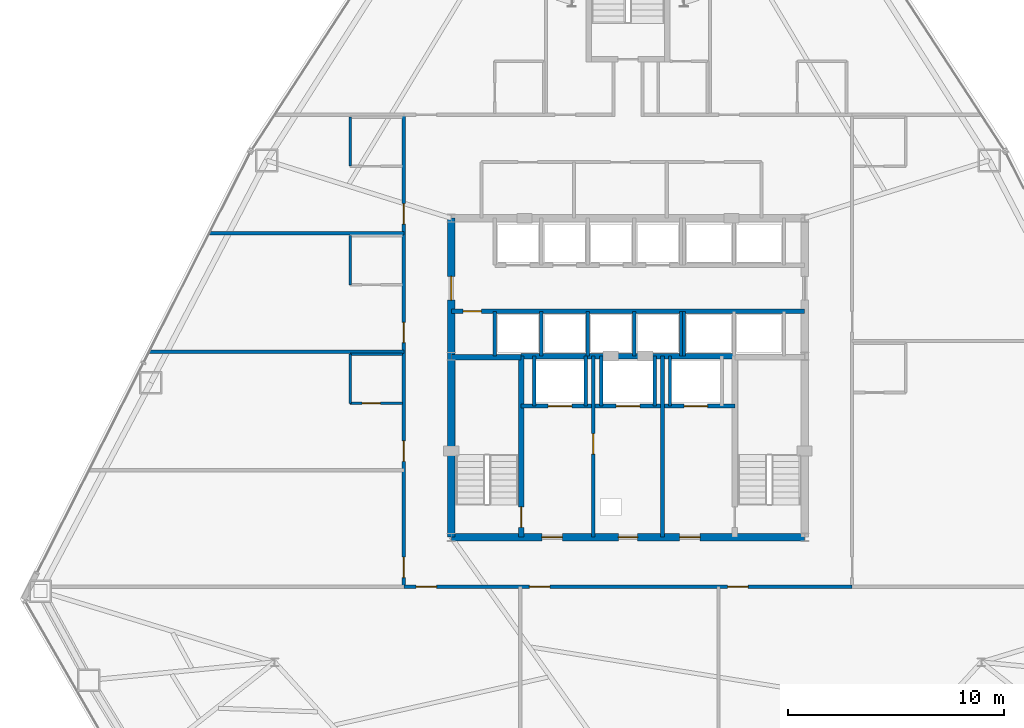
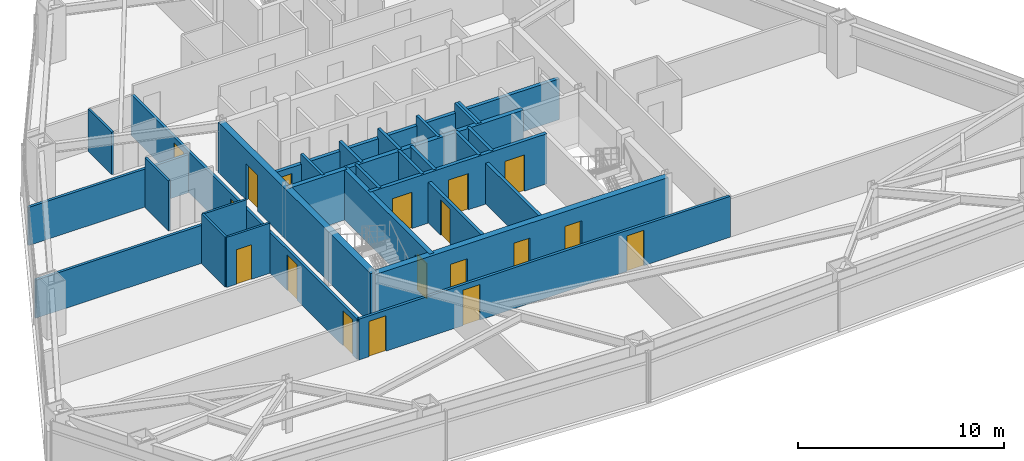
# One storey, part 9 of 12: 29 walls, 18 doors, 18 openings.
"""IFC4 building model written with IfcOpenShell, lengths in metres."""

from ifc_helpers import new_model, si_unit, direction, frame, frame_2d, origin, place, context, subcontext, project, spatial, rectangle, extrude, material, layer, layer_set, type_object, element, fill, save


model = new_model("IFC4")

# Units and contexts
model_context = context("Model", 3, precision=1e-05, world=origin(), true_north=direction((0.0, 1.0)))
body_context = subcontext(model_context, "Body", "Model", "MODEL_VIEW")
ifc_project = project(units=[si_unit("LENGTHUNIT", "METRE"), si_unit("AREAUNIT", "SQUARE_METRE"), si_unit("VOLUMEUNIT", "CUBIC_METRE"), si_unit("PLANEANGLEUNIT", "RADIAN"), si_unit("MASSUNIT", "GRAM", prefix="KILO")], contexts=[model_context])

# Site, building, storey
site_placement = place(None, origin())
site = spatial("IfcSite", under=ifc_project, at=site_placement, CompositionType="ELEMENT")
building_placement = place(site_placement, origin())
building = spatial("IfcBuilding", under=site, at=building_placement, Name="Varakhsha Concourse Tower", CompositionType="ELEMENT")
storey_placement = place(building_placement, frame((0.0, 0.0, 76.60009765625)))
storey = spatial("IfcBuildingStorey", under=building, at=storey_placement, Name="L21", CompositionType="ELEMENT", Elevation=76.60009765625)

# Wall, openings, doors
ifc_material_1 = material(Name="Concrete fc 65 MPa", Category="concrete")
ifc_layer_1 = layer(ifc_material_1, 0.35009765625, Name="WL-CORE-350")
ifc_layer_set_1 = layer_set([ifc_layer_1], Name="Concrete fc 65 MPa")
wall_type_1 = type_object("IfcWallType", Name="WL-CORE-350", PredefinedType="SHEAR", material=ifc_layer_set_1)
wall_1_placement = place(storey_placement, frame((31.800048828125, 16.39990234375, 0.0), z_axis=(0.0, 0.0, 1.0), x_axis=(1.0, 0.0, 0.0)))
wall_1 = element("IfcWall", 1, at=wall_1_placement, inside=storey, type_object=wall_type_1, Name="L21 Wall CWALL-S-L21", PredefinedType="SHEAR", context=body_context, shape_type="SweptSolid", body=[
    extrude(rectangle(XDim=16.39990234375, YDim=0.35009765625, at=frame_2d((8.199951171875, 0.0))), origin(), (0.0, 0.0, 1.0), 2.969970703125),
])
opening_1_placement = place(wall_1_placement, frame((7.75, 0.0, 0.0)))
opening_1 = element("IfcOpeningElement", 2, at=opening_1_placement, cuts=wall_1, Name="Opening DF-06", PredefinedType="OPENING", context=body_context, shape_type="SweptSolid", body=[
    extrude(rectangle(XDim=0.89990234375, YDim=2.10009765625, at=frame_2d((0.449951171875, 1.050048828125))), frame((0.0, 0.18505859375, 0.0), z_axis=(0.0, -1.0, 0.0), x_axis=(1.0, 0.0, 0.0)), (0.0, 0.0, 1.0), 0.3701171875),
])
opening_2_placement = place(wall_1_placement, frame((4.199951171875, 0.0, 0.0)))
opening_2 = element("IfcOpeningElement", 3, at=opening_2_placement, cuts=wall_1, Name="Opening DF-05", PredefinedType="OPENING", context=body_context, shape_type="SweptSolid", body=[
    extrude(rectangle(XDim=0.949951171875, YDim=2.10009765625, at=frame_2d((0.47509765625, 1.050048828125))), frame((0.0, 0.18505859375, 0.0), z_axis=(0.0, -1.0, 0.0), x_axis=(1.0, 0.0, 0.0)), (0.0, 0.0, 1.0), 0.3701171875),
])
opening_3_placement = place(wall_1_placement, frame((10.60009765625, 0.0, 0.0)))
opening_3 = element("IfcOpeningElement", 4, at=opening_3_placement, cuts=wall_1, Name="Opening DF-05", PredefinedType="OPENING", context=body_context, shape_type="SweptSolid", body=[
    extrude(rectangle(XDim=0.949951171875, YDim=2.10009765625, at=frame_2d((0.47509765625, 1.050048828125))), frame((0.0, 0.18505859375, 0.0), z_axis=(0.0, -1.0, 0.0), x_axis=(1.0, 0.0, 0.0)), (0.0, 0.0, 1.0), 0.3701171875),
])
ifc_material_2 = material(Name="Hollow Galvanised Steel Fire Door Assembly", Category="steel")
door_type_1 = type_object("IfcDoorType", Name="DR-FD60-900", OperationType="NOTDEFINED", PredefinedType="DOOR", material=ifc_material_2)
door_1_placement = place(opening_1_placement, origin())
door_1 = element("IfcDoor", 5, at=door_1_placement, inside=storey, type_object=door_type_1, Name="L21 Service Riser Vestibule Door", OperationType="SINGLE_SWING_LEFT", OverallHeight=2.10009765625, OverallWidth=0.89990234375, PredefinedType="DOOR", context=body_context, shape_type="SweptSolid", body=[
    extrude(rectangle(XDim=0.89990234375, YDim=2.10009765625, at=frame_2d((0.449951171875, 1.050048828125))), frame((0.0, 0.02490234375, 0.0), z_axis=(0.0, -1.0, 0.0), x_axis=(1.0, 0.0, 0.0)), (0.0, 0.0, 1.0), 0.050048828125),
])
fill(opening_1, door_1)
door_type_2 = type_object("IfcDoorType", Name="DR-FD60-950", OperationType="NOTDEFINED", PredefinedType="DOOR", material=ifc_material_2)
door_2_placement = place(opening_2_placement, origin())
door_2 = element("IfcDoor", 6, at=door_2_placement, inside=storey, type_object=door_type_2, Name="L21 Firefighting Lobby West Door", OperationType="SINGLE_SWING_RIGHT", OverallHeight=2.10009765625, OverallWidth=0.949951171875, PredefinedType="DOOR", context=body_context, shape_type="SweptSolid", body=[
    extrude(rectangle(XDim=0.949951171875, YDim=2.10009765625, at=frame_2d((0.47509765625, 1.050048828125))), frame((0.0, 0.02490234375, 0.0), z_axis=(0.0, -1.0, 0.0), x_axis=(1.0, 0.0, 0.0)), (0.0, 0.0, 1.0), 0.050048828125),
])
fill(opening_2, door_2)
door_3_placement = place(opening_3_placement, origin())
door_3 = element("IfcDoor", 7, at=door_3_placement, inside=storey, type_object=door_type_2, Name="L21 Firefighting Lobby East Door", OperationType="SINGLE_SWING_LEFT", OverallHeight=2.10009765625, OverallWidth=0.949951171875, PredefinedType="DOOR", context=body_context, shape_type="SweptSolid", body=[
    extrude(rectangle(XDim=0.949951171875, YDim=2.10009765625, at=frame_2d((0.47509765625, 1.050048828125))), frame((0.0, 0.02490234375, 0.0), z_axis=(0.0, -1.0, 0.0), x_axis=(1.0, 0.0, 0.0)), (0.0, 0.0, 1.0), 0.050048828125),
])
fill(opening_3, door_3)

# Wall, opening, door
wall_2_placement = place(storey_placement, frame((31.800048828125, 16.39990234375, 0.0), z_axis=(0.0, 0.0, 1.0), x_axis=(0.0, 1.0, 0.0)))
wall_2 = element("IfcWall", 8, at=wall_2_placement, inside=storey, type_object=wall_type_1, Name="L21 Wall CWALL-W-L21", PredefinedType="SHEAR", context=body_context, shape_type="SweptSolid", body=[
    extrude(rectangle(XDim=14.800048828125, YDim=0.35009765625, at=frame_2d((7.39990234375, 0.0))), origin(), (0.0, 0.0, 1.0), 2.969970703125),
])
opening_4_placement = place(wall_2_placement, frame((11.0, 0.0, 0.0)))
opening_4 = element("IfcOpeningElement", 9, at=opening_4_placement, cuts=wall_2, Name="Opening DL-01", PredefinedType="OPENING", context=body_context, shape_type="SweptSolid", body=[
    extrude(rectangle(XDim=1.10009765625, YDim=2.14990234375, at=frame_2d((0.550048828125, 1.074951171875))), frame((0.0, 0.18505859375, 0.0), z_axis=(0.0, -1.0, 0.0), x_axis=(1.0, 0.0, 0.0)), (0.0, 0.0, 1.0), 0.3701171875),
])
ifc_material_3 = material(Name="Anodised Bronze Architectural Aluminium AA 6063-T6", Category="aluminium")
door_type_3 = type_object("IfcDoorType", Name="DR-LOB-1100", OperationType="NOTDEFINED", PredefinedType="DOOR", material=ifc_material_3)
door_4_placement = place(opening_4_placement, origin())
door_4 = element("IfcDoor", 10, at=door_4_placement, inside=storey, type_object=door_type_3, Name="L21 Lift Lobby West Concourse Door", OperationType="SINGLE_SWING_LEFT", OverallHeight=2.14990234375, OverallWidth=1.10009765625, PredefinedType="DOOR", context=body_context, shape_type="SweptSolid", body=[
    extrude(rectangle(XDim=1.10009765625, YDim=2.14990234375, at=frame_2d((0.550048828125, 1.074951171875))), frame((0.0, 0.02490234375, 0.0), z_axis=(0.0, -1.0, 0.0), x_axis=(1.0, 0.0, 0.0)), (0.0, 0.0, 1.0), 0.050048828125),
])
fill(opening_4, door_4)

ifc_material_4 = material(Name="Fire-Rated Type X Gypsum Partition Assembly", Category="gypsum")
ifc_layer_2 = layer(ifc_material_4, 0.179931640625, Name="WL-FFLOB-180")
ifc_layer_set_2 = layer_set([ifc_layer_2], Name="Fire-Rated Type X Gypsum Partition Assembly")
wall_type_2 = type_object("IfcWallType", Name="WL-FFLOB-180", PredefinedType="PARTITIONING", material=ifc_layer_set_2)
wall_3_placement = place(storey_placement, frame((38.389892578125, 16.39990234375, 0.0), z_axis=(0.0, 0.0, 1.0), x_axis=(0.0, 1.0, 0.0)))
wall_3 = element("IfcWall", 11, at=wall_3_placement, inside=storey, type_object=wall_type_2, Name="L21 Wall FFW-1E-L21", PredefinedType="PARTITIONING", context=body_context, shape_type="SweptSolid", body=[
    extrude(rectangle(XDim=8.400146484375, YDim=0.179931640625, at=frame_2d((4.2001953125, 0.0))), origin(), (0.0, 0.0, 1.0), 2.4208984375),
])
opening_5_placement = place(wall_3_placement, frame((3.85009765625, 0.0, 0.0)))
opening_5 = element("IfcOpeningElement", 12, at=opening_5_placement, cuts=wall_3, Name="Opening DF-05", PredefinedType="OPENING", context=body_context, shape_type="SweptSolid", body=[
    extrude(rectangle(XDim=0.949951171875, YDim=2.10009765625, at=frame_2d((0.47509765625, 1.050048828125))), frame((0.0, 0.099853515625, 0.0), z_axis=(0.0, -1.0, 0.0), x_axis=(1.0, 0.0, 0.0)), (0.0, 0.0, 1.0), 0.199951171875),
])
door_5_placement = place(opening_5_placement, origin())
door_5 = element("IfcDoor", 13, at=door_5_placement, inside=storey, type_object=door_type_2, Name="L21 Service Vestibule Door", OperationType="SINGLE_SWING_RIGHT", OverallHeight=2.10009765625, OverallWidth=0.949951171875, PredefinedType="DOOR", context=body_context, shape_type="SweptSolid", body=[
    extrude(rectangle(XDim=0.949951171875, YDim=2.10009765625, at=frame_2d((0.47509765625, 1.050048828125))), frame((0.0, 0.02490234375, 0.0), z_axis=(0.0, -1.0, 0.0), x_axis=(1.0, 0.0, 0.0)), (0.0, 0.0, 1.0), 0.050048828125),
])
fill(opening_5, door_5)

# Walls
wall_4_placement = place(storey_placement, frame((41.610107421875, 16.39990234375, 0.0), z_axis=(0.0, 0.0, 1.0), x_axis=(0.0, 1.0, 0.0)))
element("IfcWall", 14, at=wall_4_placement, inside=storey, type_object=wall_type_2, Name="L21 Wall FFW-2W-L21", PredefinedType="PARTITIONING", context=body_context, shape_type="SweptSolid", body=[
    extrude(rectangle(XDim=8.400146484375, YDim=0.179931640625, at=frame_2d((4.2001953125, 0.0))), origin(), (0.0, 0.0, 1.0), 2.4208984375),
])
ifc_material_5 = material(Name="Acoustic Gypsum Board Partition Assembly", Category="gypsum")
ifc_layer_3 = layer(ifc_material_5, 0.1201171875, Name="WL-PART-120")
ifc_layer_set_3 = layer_set([ifc_layer_3], Name="Acoustic Gypsum Board Partition Assembly")
wall_type_3 = type_object("IfcWallType", Name="WL-PART-120", PredefinedType="PARTITIONING", material=ifc_layer_set_3)
wall_5_placement = place(storey_placement, frame((27.110107421875, 22.610107421875, 0.0), z_axis=(0.0, 0.0, 1.0), x_axis=(0.0, 1.0, 0.0)))
element("IfcWall", 15, at=wall_5_placement, inside=storey, type_object=wall_type_3, Name="L21 Wall ENSW-W-L21-H05", PredefinedType="PARTITIONING", context=body_context, shape_type="SweptSolid", body=[
    extrude(rectangle(XDim=2.27978515625, YDim=0.1201171875, at=frame_2d((1.139892578125, 0.0))), origin(), (0.0, 0.0, 1.0), 2.969970703125),
])

# Wall, opening, door
wall_6_placement = place(storey_placement, frame((27.110107421875, 22.610107421875, 0.0), z_axis=(0.0, 0.0, 1.0), x_axis=(1.0, 0.0, 0.0)))
wall_6 = element("IfcWall", 16, at=wall_6_placement, inside=storey, type_object=wall_type_3, Name="L21 Wall ENSW-S-L21-H05", PredefinedType="PARTITIONING", context=body_context, shape_type="SweptSolid", body=[
    extrude(rectangle(XDim=2.429931640625, YDim=0.1201171875, at=frame_2d((1.21484375, 0.0))), origin(), (0.0, 0.0, 1.0), 2.969970703125),
])
opening_6_placement = place(wall_6_placement, frame((0.550048828125, 0.0, 0.0)))
opening_6 = element("IfcOpeningElement", 17, at=opening_6_placement, cuts=wall_6, Name="Opening DI-01", PredefinedType="OPENING", context=body_context, shape_type="SweptSolid", body=[
    extrude(rectangle(XDim=0.85009765625, YDim=2.050048828125, at=frame_2d((0.425048828125, 1.02490234375))), frame((0.0, 0.070068359375, 0.0), z_axis=(0.0, -1.0, 0.0), x_axis=(1.0, 0.0, 0.0)), (0.0, 0.0, 1.0), 0.14013671875),
])
ifc_material_6 = material(Name="Architectural Walnut Acoustic Timber Door", Category="wood")
door_type_4 = type_object("IfcDoorType", Name="DR-INT-850", OperationType="NOTDEFINED", PredefinedType="DOOR", material=ifc_material_6)
door_6_placement = place(opening_6_placement, origin())
door_6 = element("IfcDoor", 18, at=door_6_placement, inside=storey, type_object=door_type_4, Name="L21 En-suite Bathroom Door L21-H05", OperationType="SINGLE_SWING_RIGHT", OverallHeight=2.050048828125, OverallWidth=0.85009765625, PredefinedType="DOOR", context=body_context, shape_type="SweptSolid", body=[
    extrude(rectangle(XDim=0.85009765625, YDim=2.050048828125, at=frame_2d((0.425048828125, 1.02490234375))), frame((0.0, 0.02490234375, 0.0), z_axis=(0.0, -1.0, 0.0), x_axis=(1.0, 0.0, 0.0)), (0.0, 0.0, 1.0), 0.050048828125),
])
fill(opening_6, door_6)

# Walls
wall_7_placement = place(storey_placement, frame((27.110107421875, 24.889892578125, 0.0), z_axis=(0.0, 0.0, 1.0), x_axis=(1.0, 0.0, 0.0)))
element("IfcWall", 19, at=wall_7_placement, inside=storey, type_object=wall_type_3, Name="L21 Wall ENSW-N-L21-H05", PredefinedType="PARTITIONING", context=body_context, shape_type="SweptSolid", body=[
    extrude(rectangle(XDim=2.429931640625, YDim=0.1201171875, at=frame_2d((1.21484375, 0.0))), origin(), (0.0, 0.0, 1.0), 2.969970703125),
])
wall_8_placement = place(storey_placement, frame((27.110107421875, 28.110107421875, 0.0), z_axis=(0.0, 0.0, 1.0), x_axis=(0.0, 1.0, 0.0)))
element("IfcWall", 20, at=wall_8_placement, inside=storey, type_object=wall_type_3, Name="L21 Wall ENSW-W-L21-H06", PredefinedType="PARTITIONING", context=body_context, shape_type="SweptSolid", body=[
    extrude(rectangle(XDim=2.27978515625, YDim=0.1201171875, at=frame_2d((1.139892578125, 0.0))), origin(), (0.0, 0.0, 1.0), 2.969970703125),
])
wall_9_placement = place(storey_placement, frame((27.110107421875, 33.610107421875, 0.0), z_axis=(0.0, 0.0, 1.0), x_axis=(0.0, 1.0, 0.0)))
element("IfcWall", 21, at=wall_9_placement, inside=storey, type_object=wall_type_3, Name="L21 Wall ENSW-W-L21-H07", PredefinedType="PARTITIONING", context=body_context, shape_type="SweptSolid", body=[
    extrude(rectangle(XDim=2.27978515625, YDim=0.1201171875, at=frame_2d((1.139892578125, 0.0))), origin(), (0.0, 0.0, 1.0), 2.5029296875),
])

# Wall, openings, doors
ifc_layer_4 = layer(ifc_material_4, 0.14990234375, Name="WL-PART-150")
ifc_layer_set_4 = layer_set([ifc_layer_4], Name="Fire-Rated Type X Gypsum Partition Assembly")
wall_type_4 = type_object("IfcWallType", Name="WL-PART-150", PredefinedType="PARTITIONING", material=ifc_layer_set_4)
wall_10_placement = place(storey_placement, frame((29.60009765625, 14.10009765625, 0.0), z_axis=(0.0, 0.0, 1.0), x_axis=(1.0, 0.0, 0.0)))
wall_10 = element("IfcWall", 22, at=wall_10_placement, inside=storey, type_object=wall_type_4, Name="L21 Wall CRW-S-L21", PredefinedType="PARTITIONING", context=body_context, shape_type="SweptSolid", body=[
    extrude(rectangle(XDim=20.7998046875, YDim=0.14990234375, at=frame_2d((10.39990234375, 0.0))), origin(), (0.0, 0.0, 1.0), 2.4208984375),
])
opening_7_placement = place(wall_10_placement, frame((0.570068359375, 0.0, 0.0)))
opening_7 = element("IfcOpeningElement", 23, at=opening_7_placement, cuts=wall_10, Name="Opening DF-05", PredefinedType="OPENING", context=body_context, shape_type="SweptSolid", body=[
    extrude(rectangle(XDim=0.949951171875, YDim=2.10009765625, at=frame_2d((0.47509765625, 1.050048828125))), frame((0.0, 0.0849609375, 0.0), z_axis=(0.0, -1.0, 0.0), x_axis=(1.0, 0.0, 0.0)), (0.0, 0.0, 1.0), 0.169921875),
])
opening_8_placement = place(wall_10_placement, frame((5.820068359375, 0.0, 0.0)))
opening_8 = element("IfcOpeningElement", 24, at=opening_8_placement, cuts=wall_10, Name="Opening DF-05", PredefinedType="OPENING", context=body_context, shape_type="SweptSolid", body=[
    extrude(rectangle(XDim=0.949951171875, YDim=2.10009765625, at=frame_2d((0.47509765625, 1.050048828125))), frame((0.0, 0.0849609375, 0.0), z_axis=(0.0, -1.0, 0.0), x_axis=(1.0, 0.0, 0.0)), (0.0, 0.0, 1.0), 0.169921875),
])
opening_9_placement = place(wall_10_placement, frame((15.02001953125, 0.0, 0.0)))
opening_9 = element("IfcOpeningElement", 25, at=opening_9_placement, cuts=wall_10, Name="Opening DF-05", PredefinedType="OPENING", context=body_context, shape_type="SweptSolid", body=[
    extrude(rectangle(XDim=0.949951171875, YDim=2.10009765625, at=frame_2d((0.47509765625, 1.050048828125))), frame((0.0, 0.0849609375, 0.0), z_axis=(0.0, -1.0, 0.0), x_axis=(1.0, 0.0, 0.0)), (0.0, 0.0, 1.0), 0.169921875),
])
door_7_placement = place(opening_7_placement, origin())
door_7 = element("IfcDoor", 26, at=door_7_placement, inside=storey, type_object=door_type_2, Name="L21 Hotel Executive Salon L21-H01 Door", OperationType="SINGLE_SWING_LEFT", OverallHeight=2.10009765625, OverallWidth=0.949951171875, PredefinedType="DOOR", context=body_context, shape_type="SweptSolid", body=[
    extrude(rectangle(XDim=0.949951171875, YDim=2.10009765625, at=frame_2d((0.47509765625, 1.050048828125))), frame((0.0, 0.02490234375, 0.0), z_axis=(0.0, -1.0, 0.0), x_axis=(1.0, 0.0, 0.0)), (0.0, 0.0, 1.0), 0.050048828125),
])
fill(opening_7, door_7)
door_8_placement = place(opening_8_placement, origin())
door_8 = element("IfcDoor", 27, at=door_8_placement, inside=storey, type_object=door_type_2, Name="L21 Hotel Fitness Studio L21-H02 Door", OperationType="SINGLE_SWING_RIGHT", OverallHeight=2.10009765625, OverallWidth=0.949951171875, PredefinedType="DOOR", context=body_context, shape_type="SweptSolid", body=[
    extrude(rectangle(XDim=0.949951171875, YDim=2.10009765625, at=frame_2d((0.47509765625, 1.050048828125))), frame((0.0, 0.02490234375, 0.0), z_axis=(0.0, -1.0, 0.0), x_axis=(1.0, 0.0, 0.0)), (0.0, 0.0, 1.0), 0.050048828125),
])
fill(opening_8, door_8)
door_9_placement = place(opening_9_placement, origin())
door_9 = element("IfcDoor", 28, at=door_9_placement, inside=storey, type_object=door_type_2, Name="L21 Hotel Executive Salon L21-H03 Door", OperationType="SINGLE_SWING_LEFT", OverallHeight=2.10009765625, OverallWidth=0.949951171875, PredefinedType="DOOR", context=body_context, shape_type="SweptSolid", body=[
    extrude(rectangle(XDim=0.949951171875, YDim=2.10009765625, at=frame_2d((0.47509765625, 1.050048828125))), frame((0.0, 0.02490234375, 0.0), z_axis=(0.0, -1.0, 0.0), x_axis=(1.0, 0.0, 0.0)), (0.0, 0.0, 1.0), 0.050048828125),
])
fill(opening_9, door_9)

wall_11_placement = place(storey_placement, frame((29.60009765625, 14.10009765625, 0.0), z_axis=(0.0, 0.0, 1.0), x_axis=(0.0, 1.0, 0.0)))
wall_11 = element("IfcWall", 29, at=wall_11_placement, inside=storey, type_object=wall_type_4, Name="L21 Wall CRW-W-L21", PredefinedType="PARTITIONING", context=body_context, shape_type="SweptSolid", body=[
    extrude(rectangle(XDim=21.89990234375, YDim=0.14990234375, at=frame_2d((10.949951171875, 0.0))), origin(), (0.0, 0.0, 1.0), 2.4208984375),
])
opening_10_placement = place(wall_11_placement, frame((0.419921875, 0.0, 0.0)))
opening_10 = element("IfcOpeningElement", 30, at=opening_10_placement, cuts=wall_11, Name="Opening DF-05", PredefinedType="OPENING", context=body_context, shape_type="SweptSolid", body=[
    extrude(rectangle(XDim=0.949951171875, YDim=2.10009765625, at=frame_2d((0.47509765625, 1.050048828125))), frame((0.0, 0.0849609375, 0.0), z_axis=(0.0, -1.0, 0.0), x_axis=(1.0, 0.0, 0.0)), (0.0, 0.0, 1.0), 0.169921875),
])
opening_11_placement = place(wall_11_placement, frame((5.820068359375, 0.0, 0.0)))
opening_11 = element("IfcOpeningElement", 31, at=opening_11_placement, cuts=wall_11, Name="Opening DF-05", PredefinedType="OPENING", context=body_context, shape_type="SweptSolid", body=[
    extrude(rectangle(XDim=0.949951171875, YDim=2.10009765625, at=frame_2d((0.47509765625, 1.050048828125))), frame((0.0, 0.0849609375, 0.0), z_axis=(0.0, -1.0, 0.0), x_axis=(1.0, 0.0, 0.0)), (0.0, 0.0, 1.0), 0.169921875),
])
opening_12_placement = place(wall_11_placement, frame((11.320068359375, 0.0, 0.0)))
opening_12 = element("IfcOpeningElement", 32, at=opening_12_placement, cuts=wall_11, Name="Opening DF-05", PredefinedType="OPENING", context=body_context, shape_type="SweptSolid", body=[
    extrude(rectangle(XDim=0.949951171875, YDim=2.10009765625, at=frame_2d((0.47509765625, 1.050048828125))), frame((0.0, 0.0849609375, 0.0), z_axis=(0.0, -1.0, 0.0), x_axis=(1.0, 0.0, 0.0)), (0.0, 0.0, 1.0), 0.169921875),
])
opening_13_placement = place(wall_11_placement, frame((16.820068359375, 0.0, 0.0)))
opening_13 = element("IfcOpeningElement", 33, at=opening_13_placement, cuts=wall_11, Name="Opening DF-05", PredefinedType="OPENING", context=body_context, shape_type="SweptSolid", body=[
    extrude(rectangle(XDim=0.949951171875, YDim=2.10009765625, at=frame_2d((0.47509765625, 1.050048828125))), frame((0.0, 0.0849609375, 0.0), z_axis=(0.0, -1.0, 0.0), x_axis=(1.0, 0.0, 0.0)), (0.0, 0.0, 1.0), 0.169921875),
])
door_10_placement = place(opening_10_placement, origin())
door_10 = element("IfcDoor", 34, at=door_10_placement, inside=storey, type_object=door_type_2, Name="L21 Hotel Fitness Studio L21-H04 Door", OperationType="SINGLE_SWING_RIGHT", OverallHeight=2.10009765625, OverallWidth=0.949951171875, PredefinedType="DOOR", context=body_context, shape_type="SweptSolid", body=[
    extrude(rectangle(XDim=0.949951171875, YDim=2.10009765625, at=frame_2d((0.47509765625, 1.050048828125))), frame((0.0, 0.02490234375, 0.0), z_axis=(0.0, -1.0, 0.0), x_axis=(1.0, 0.0, 0.0)), (0.0, 0.0, 1.0), 0.050048828125),
])
fill(opening_10, door_10)
door_11_placement = place(opening_11_placement, origin())
door_11 = element("IfcDoor", 35, at=door_11_placement, inside=storey, type_object=door_type_2, Name="L21 Hotel Corner Suite L21-H05 Entry Door", OperationType="SINGLE_SWING_LEFT", OverallHeight=2.10009765625, OverallWidth=0.949951171875, PredefinedType="DOOR", context=body_context, shape_type="SweptSolid", body=[
    extrude(rectangle(XDim=0.949951171875, YDim=2.10009765625, at=frame_2d((0.47509765625, 1.050048828125))), frame((0.0, 0.02490234375, 0.0), z_axis=(0.0, -1.0, 0.0), x_axis=(1.0, 0.0, 0.0)), (0.0, 0.0, 1.0), 0.050048828125),
])
fill(opening_11, door_11)
door_12_placement = place(opening_12_placement, origin())
door_12 = element("IfcDoor", 36, at=door_12_placement, inside=storey, type_object=door_type_2, Name="L21 Hotel Corner Suite L21-H06 Entry Door", OperationType="SINGLE_SWING_RIGHT", OverallHeight=2.10009765625, OverallWidth=0.949951171875, PredefinedType="DOOR", context=body_context, shape_type="SweptSolid", body=[
    extrude(rectangle(XDim=0.949951171875, YDim=2.10009765625, at=frame_2d((0.47509765625, 1.050048828125))), frame((0.0, 0.02490234375, 0.0), z_axis=(0.0, -1.0, 0.0), x_axis=(1.0, 0.0, 0.0)), (0.0, 0.0, 1.0), 0.050048828125),
])
fill(opening_12, door_12)
door_13_placement = place(opening_13_placement, origin())
door_13 = element("IfcDoor", 37, at=door_13_placement, inside=storey, type_object=door_type_2, Name="L21 Hotel Guest Room L21-H07 Entry Door", OperationType="SINGLE_SWING_LEFT", OverallHeight=2.10009765625, OverallWidth=0.949951171875, PredefinedType="DOOR", context=body_context, shape_type="SweptSolid", body=[
    extrude(rectangle(XDim=0.949951171875, YDim=2.10009765625, at=frame_2d((0.47509765625, 1.050048828125))), frame((0.0, 0.02490234375, 0.0), z_axis=(0.0, -1.0, 0.0), x_axis=(1.0, 0.0, 0.0)), (0.0, 0.0, 1.0), 0.050048828125),
])
fill(opening_13, door_13)

# Walls
wall_12_placement = place(storey_placement, frame((17.786865234375, 25.0, 0.0), z_axis=(0.0, 0.0, 1.0), x_axis=(1.0, 0.0, 0.0)))
element("IfcWall", 38, at=wall_12_placement, inside=storey, type_object=wall_type_4, Name="L21 Wall HDIV-W2-L21", PredefinedType="PARTITIONING", context=body_context, shape_type="SweptSolid", body=[
    extrude(rectangle(XDim=11.813232421875, YDim=0.14990234375, at=frame_2d((5.90673828125, 0.0))), origin(), (0.0, 0.0, 1.0), 2.2578125),
])
wall_13_placement = place(storey_placement, frame((20.575927734375, 30.5, 0.0), z_axis=(0.0, 0.0, 1.0), x_axis=(1.0, 0.0, 0.0)))
element("IfcWall", 39, at=wall_13_placement, inside=storey, type_object=wall_type_4, Name="L21 Wall HDIV-W3-L21", PredefinedType="PARTITIONING", context=body_context, shape_type="SweptSolid", body=[
    extrude(rectangle(XDim=9.024169921875, YDim=0.14990234375, at=frame_2d((4.51220703125, 0.0))), origin(), (0.0, 0.0, 1.0), 2.2578125),
])

# Wall, openings, doors
ifc_layer_5 = layer(ifc_material_4, 0.199951171875, Name="WL-SHAFT-220")
ifc_layer_set_5 = layer_set([ifc_layer_5], Name="Fire-Rated Type X Gypsum Partition Assembly")
wall_type_5 = type_object("IfcWallType", Name="WL-SHAFT-220", PredefinedType="SOLIDWALL", material=ifc_layer_set_5)
wall_14_placement = place(storey_placement, frame((35.044921875, 22.47998046875, 0.0), z_axis=(0.0, 0.0, 1.0), x_axis=(1.0, 0.0, 0.0)))
wall_14 = element("IfcWall", 40, at=wall_14_placement, inside=storey, type_object=wall_type_5, Name="L21 Wall FFW-NH-L21", PredefinedType="SOLIDWALL", context=body_context, shape_type="SweptSolid", body=[
    extrude(rectangle(XDim=9.91015625, YDim=0.199951171875, at=frame_2d((4.955078125, 0.0))), origin(), (0.0, 0.0, 1.0), 2.969970703125),
])
opening_14_placement = place(wall_14_placement, frame((1.2548828125, 0.0, 0.0)))
opening_14 = element("IfcOpeningElement", 41, at=opening_14_placement, cuts=wall_14, Name="Opening LD-FFL-1", PredefinedType="OPENING", context=body_context, shape_type="SweptSolid", body=[
    extrude(rectangle(XDim=1.10009765625, YDim=2.14990234375, at=frame_2d((0.550048828125, 1.074951171875))), frame((0.0, 0.10986328125, 0.0), z_axis=(0.0, -1.0, 0.0), x_axis=(1.0, 0.0, 0.0)), (0.0, 0.0, 1.0), 0.219970703125),
])
opening_15_placement = place(wall_14_placement, frame((7.554931640625, 0.0, 0.0)))
opening_15 = element("IfcOpeningElement", 42, at=opening_15_placement, cuts=wall_14, Name="Opening LD-FFL-2", PredefinedType="OPENING", context=body_context, shape_type="SweptSolid", body=[
    extrude(rectangle(XDim=1.10009765625, YDim=2.14990234375, at=frame_2d((0.550048828125, 1.074951171875))), frame((0.0, 0.10986328125, 0.0), z_axis=(0.0, -1.0, 0.0), x_axis=(1.0, 0.0, 0.0)), (0.0, 0.0, 1.0), 0.219970703125),
])
opening_16_placement = place(wall_14_placement, frame((4.405029296875, 0.0, 0.0)))
opening_16 = element("IfcOpeningElement", 43, at=opening_16_placement, cuts=wall_14, Name="Opening LD-SVL-1", PredefinedType="OPENING", context=body_context, shape_type="SweptSolid", body=[
    extrude(rectangle(XDim=1.10009765625, YDim=2.14990234375, at=frame_2d((0.550048828125, 1.074951171875))), frame((0.0, 0.10986328125, 0.0), z_axis=(0.0, -1.0, 0.0), x_axis=(1.0, 0.0, 0.0)), (0.0, 0.0, 1.0), 0.219970703125),
])
ifc_material_7 = material(Name="Brushed Austenitic Stainless Steel AISI 316", Category="steel")
door_type_5 = type_object("IfcDoorType", Name="DR-LD-1100", OperationType="DOUBLE_DOOR_SLIDING", PredefinedType="DOOR", material=ifc_material_7)
door_14_placement = place(opening_14_placement, origin())
door_14 = element("IfcDoor", 44, at=door_14_placement, inside=storey, type_object=door_type_5, Name="Lift Landing Door FFL-1 L21", OperationType="DOUBLE_DOOR_SLIDING", OverallHeight=2.14990234375, OverallWidth=1.10009765625, PredefinedType="DOOR", context=body_context, shape_type="SweptSolid", body=[
    extrude(rectangle(XDim=1.10009765625, YDim=2.14990234375, at=frame_2d((0.550048828125, 1.074951171875))), frame((0.0, 0.02490234375, 0.0), z_axis=(0.0, -1.0, 0.0), x_axis=(1.0, 0.0, 0.0)), (0.0, 0.0, 1.0), 0.050048828125),
])
fill(opening_14, door_14)
door_15_placement = place(opening_15_placement, origin())
door_15 = element("IfcDoor", 45, at=door_15_placement, inside=storey, type_object=door_type_5, Name="Lift Landing Door FFL-2 L21", OperationType="DOUBLE_DOOR_SLIDING", OverallHeight=2.14990234375, OverallWidth=1.10009765625, PredefinedType="DOOR", context=body_context, shape_type="SweptSolid", body=[
    extrude(rectangle(XDim=1.10009765625, YDim=2.14990234375, at=frame_2d((0.550048828125, 1.074951171875))), frame((0.0, 0.02490234375, 0.0), z_axis=(0.0, -1.0, 0.0), x_axis=(1.0, 0.0, 0.0)), (0.0, 0.0, 1.0), 0.050048828125),
])
fill(opening_15, door_15)
door_16_placement = place(opening_16_placement, origin())
door_16 = element("IfcDoor", 46, at=door_16_placement, inside=storey, type_object=door_type_5, Name="Lift Landing Door SVL-1 L21", OperationType="DOUBLE_DOOR_SLIDING", OverallHeight=2.14990234375, OverallWidth=1.10009765625, PredefinedType="DOOR", context=body_context, shape_type="SweptSolid", body=[
    extrude(rectangle(XDim=1.10009765625, YDim=2.14990234375, at=frame_2d((0.550048828125, 1.074951171875))), frame((0.0, 0.02490234375, 0.0), z_axis=(0.0, -1.0, 0.0), x_axis=(1.0, 0.0, 0.0)), (0.0, 0.0, 1.0), 0.050048828125),
])
fill(opening_16, door_16)

# Walls
for number, where, z_axis, x_axis, name in (
    (47, (35.64990234375, 22.47998046875, 0.0), (0.0, 0.0, 1.0), (0.0, 1.0, 0.0), "L21 Wall SHW-FFL-1-W-L21"),
    (48, (38.050048828125, 22.47998046875, 0.0), (0.0, 0.0, 1.0), (0.0, 1.0, 0.0), "L21 Wall SHW-FFL-1-E-L21"),
    (49, (41.949951171875, 22.47998046875, 0.0), (0.0, 0.0, 1.0), (0.0, 1.0, 0.0), "L21 Wall SHW-FFL-2-W-L21"),
    (50, (38.75, 22.47998046875, 0.0), (0.0, 0.0, 1.0), (0.0, 1.0, 0.0), "L21 Wall SHW-SVL-1-W-L21"),
    (51, (41.25, 22.47998046875, 0.0), (0.0, 0.0, 1.0), (0.0, 1.0, 0.0), "L21 Wall SHW-SVL-1-E-L21"),
):
    element("IfcWall", number, at=place(storey_placement, frame(where, z_axis=z_axis, x_axis=x_axis)), inside=storey, type_object=wall_type_5, Name=name, PredefinedType="SOLIDWALL", context=body_context, shape_type="SweptSolid", body=[
        extrude(rectangle(XDim=2.320068359375, YDim=0.159912109375, at=frame_2d((1.16015625, 0.0))), origin(), (0.0, 0.0, 1.0), 2.969970703125),
    ])

# Wall, opening, door
wall_15_placement = place(storey_placement, frame((31.800048828125, 26.8798828125, 0.0), z_axis=(0.0, 0.0, 1.0), x_axis=(1.0, 0.0, 0.0)))
wall_15 = element("IfcWall", 52, at=wall_15_placement, inside=storey, type_object=wall_type_5, Name="L21 Wall PLW-S-L21", PredefinedType="SOLIDWALL", context=body_context, shape_type="SweptSolid", body=[
    extrude(rectangle(XDim=16.39990234375, YDim=0.199951171875, at=frame_2d((8.199951171875, 0.0))), origin(), (0.0, 0.0, 1.0), 2.4208984375),
])
opening_17_placement = place(wall_15_placement, frame((0.550048828125, 0.0, 0.0)))
opening_17 = element("IfcOpeningElement", 53, at=opening_17_placement, cuts=wall_15, Name="Opening DF-07", PredefinedType="OPENING", context=body_context, shape_type="SweptSolid", body=[
    extrude(rectangle(XDim=0.85009765625, YDim=2.050048828125, at=frame_2d((0.425048828125, 1.02490234375))), frame((0.0, 0.10986328125, 0.0), z_axis=(0.0, -1.0, 0.0), x_axis=(1.0, 0.0, 0.0)), (0.0, 0.0, 1.0), 0.219970703125),
])
door_type_6 = type_object("IfcDoorType", Name="DR-FD60-850", OperationType="NOTDEFINED", PredefinedType="DOOR", material=ifc_material_2)
door_17_placement = place(opening_17_placement, origin())
door_17 = element("IfcDoor", 54, at=door_17_placement, inside=storey, type_object=door_type_6, Name="L21 Core Telecoms Closet Door", OperationType="SINGLE_SWING_RIGHT", OverallHeight=2.050048828125, OverallWidth=0.85009765625, PredefinedType="DOOR", context=body_context, shape_type="SweptSolid", body=[
    extrude(rectangle(XDim=0.85009765625, YDim=2.050048828125, at=frame_2d((0.425048828125, 1.02490234375))), frame((0.0, 0.02490234375, 0.0), z_axis=(0.0, -1.0, 0.0), x_axis=(1.0, 0.0, 0.0)), (0.0, 0.0, 1.0), 0.050048828125),
])
fill(opening_17, door_17)

# Walls
for number, where, z_axis, x_axis, name in (
    (55, (33.820068359375, 24.800048828125, 0.0), (0.0, 0.0, 1.0), (0.0, 1.0, 0.0), "L21 Wall WBOH-E2-L21"),
    (56, (35.97998046875, 24.800048828125, 0.0), (0.0, 0.0, 1.0), (0.0, 1.0, 0.0), "L21 Wall SHW-LF-P05-E-L21"),
    (57, (38.139892578125, 24.800048828125, 0.0), (0.0, 0.0, 1.0), (0.0, 1.0, 0.0), "L21 Wall SHW-LF-P06-E-L21"),
    (58, (40.300048828125, 24.800048828125, 0.0), (0.0, 0.0, 1.0), (0.0, 1.0, 0.0), "L21 Wall SHW-LF-P07-E-L21"),
    (59, (42.4599609375, 24.800048828125, 0.0), (0.0, 0.0, 1.0), (0.0, 1.0, 0.0), "L21 Wall SHW-LF-P08-E-L21"),
    (60, (42.60009765625, 24.800048828125, 0.0), (0.0, 0.0, 1.0), (0.0, 1.0, 0.0), "L21 Wall SHW-LF-P11-W-L21"),
):
    element("IfcWall", number, at=place(storey_placement, frame(where, z_axis=z_axis, x_axis=x_axis)), inside=storey, type_object=wall_type_5, Name=name, PredefinedType="SOLIDWALL", context=body_context, shape_type="SweptSolid", body=[
        extrude(rectangle(XDim=2.079833984375, YDim=0.159912109375, at=frame_2d((1.0400390625, 0.0))), origin(), (0.0, 0.0, 1.0), 2.969970703125),
    ])

# Wall, opening, door
ifc_material_8 = material(Name="Concrete fc 45 MPa", Category="concrete")
ifc_layer_6 = layer(ifc_material_8, 0.25, Name="WL-STAIR-250")
ifc_layer_set_6 = layer_set([ifc_layer_6], Name="Concrete fc 45 MPa")
wall_type_6 = type_object("IfcWallType", Name="WL-STAIR-250", PredefinedType="SHEAR", material=ifc_layer_set_6)
wall_16_placement = place(storey_placement, frame((35.044921875, 16.39990234375, 0.0), z_axis=(0.0, 0.0, 1.0), x_axis=(0.0, 1.0, 0.0)))
wall_16 = element("IfcWall", 61, at=wall_16_placement, inside=storey, type_object=wall_type_6, Name="L21 Wall SWALL-ST1-E-L21", PredefinedType="SHEAR", context=body_context, shape_type="SweptSolid", body=[
    extrude(rectangle(XDim=8.400146484375, YDim=0.25, at=frame_2d((4.2001953125, 0.0))), origin(), (0.0, 0.0, 1.0), 2.969970703125),
])
opening_18_placement = place(wall_16_placement, frame((0.449951171875, 0.0, 0.0)))
opening_18 = element("IfcOpeningElement", 62, at=opening_18_placement, cuts=wall_16, Name="Opening DF-03", PredefinedType="OPENING", context=body_context, shape_type="SweptSolid", body=[
    extrude(rectangle(XDim=0.949951171875, YDim=2.10009765625, at=frame_2d((0.47509765625, 1.050048828125))), frame((0.0, 0.135009765625, 0.0), z_axis=(0.0, -1.0, 0.0), x_axis=(1.0, 0.0, 0.0)), (0.0, 0.0, 1.0), 0.27001953125),
])
door_type_7 = type_object("IfcDoorType", Name="DR-FD90-950", OperationType="NOTDEFINED", PredefinedType="DOOR", material=ifc_material_2)
door_18_placement = place(opening_18_placement, origin())
door_18 = element("IfcDoor", 63, at=door_18_placement, inside=storey, type_object=door_type_7, Name="L21 Stair ST1 Fire Door", OperationType="SINGLE_SWING_LEFT", OverallHeight=2.10009765625, OverallWidth=0.949951171875, PredefinedType="DOOR", context=body_context, shape_type="SweptSolid", body=[
    extrude(rectangle(XDim=0.949951171875, YDim=2.10009765625, at=frame_2d((0.47509765625, 1.050048828125))), frame((0.0, 0.02490234375, 0.0), z_axis=(0.0, -1.0, 0.0), x_axis=(1.0, 0.0, 0.0)), (0.0, 0.0, 1.0), 0.050048828125),
])
fill(opening_18, door_18)

# Walls
wall_17_placement = place(storey_placement, frame((31.800048828125, 24.7548828125, 0.0), z_axis=(0.0, 0.0, 1.0), x_axis=(1.0, 0.0, 0.0)))
element("IfcWall", 64, at=wall_17_placement, inside=storey, type_object=wall_type_6, Name="L21 Wall SWALL-ST1-N-L21", PredefinedType="SHEAR", context=body_context, shape_type="SweptSolid", body=[
    extrude(rectangle(XDim=3.244873046875, YDim=0.25, at=frame_2d((1.62255859375, 0.0))), origin(), (0.0, 0.0, 1.0), 2.969970703125),
])
wall_18_placement = place(storey_placement, frame((35.044921875, 24.800048828125, 0.0), z_axis=(0.0, 0.0, 1.0), x_axis=(1.0, 0.0, 0.0)))
element("IfcWall", 65, at=wall_18_placement, inside=storey, type_object=wall_type_6, Name="L21 Wall SWALL-MID-H-L21", PredefinedType="SHEAR", context=body_context, shape_type="SweptSolid", body=[
    extrude(rectangle(XDim=9.91015625, YDim=0.25, at=frame_2d((4.955078125, 0.0))), origin(), (0.0, 0.0, 1.0), 2.969970703125),
])

save(model, "model.ifc")
